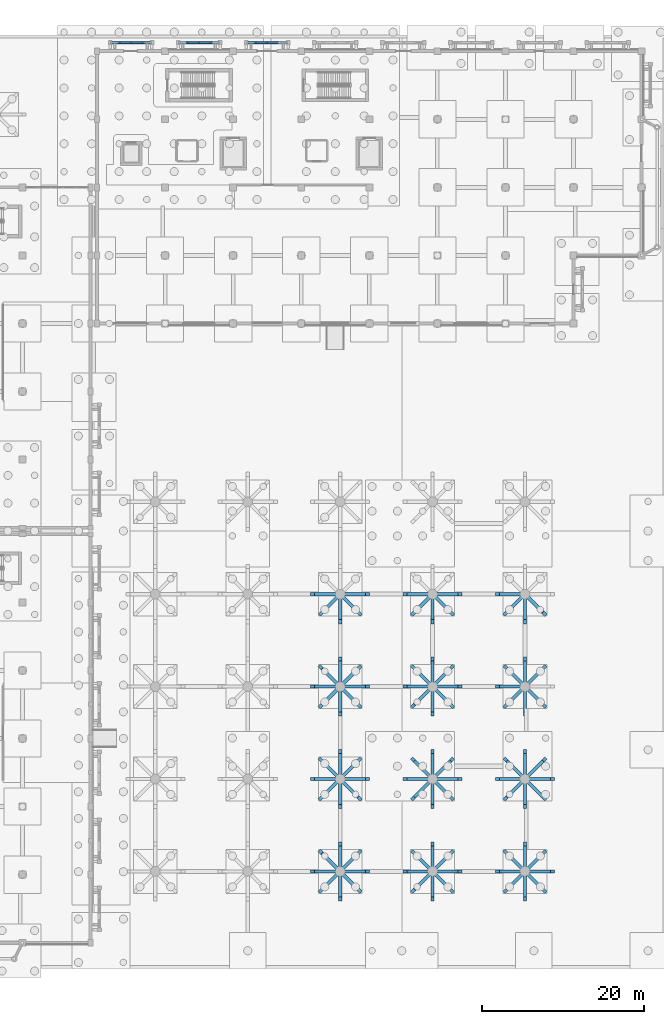
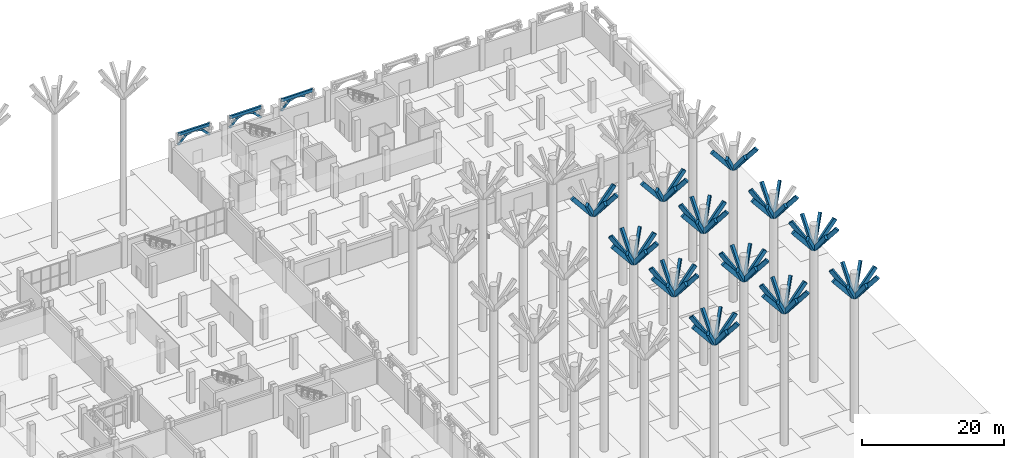
# One storey, part 45 of 98: 96 members, 3 beams.
"""IFC4 building model written with IfcOpenShell, lengths in metres."""

from ifc_helpers import new_model, si_unit, direction, frame, origin, origin_2d, place, context, subcontext, project, spatial, rectangle, extrude, material, material_profile, profile_set, type_object, element, save


model = new_model("IFC4")

# Units and contexts
model_context = context("Model", 3, precision=1e-05, world=origin(), true_north=direction((0.0, 1.0)))
body_context = subcontext(model_context, "Body", "Model", "MODEL_VIEW")
ifc_project = project(units=[si_unit("LENGTHUNIT", "METRE"), si_unit("AREAUNIT", "SQUARE_METRE"), si_unit("VOLUMEUNIT", "CUBIC_METRE"), si_unit("PLANEANGLEUNIT", "RADIAN"), si_unit("MASSUNIT", "GRAM", prefix="KILO")], contexts=[model_context])

# Site, building, storey
site_placement = place(None, origin())
site = spatial("IfcSite", under=ifc_project, at=site_placement, CompositionType="ELEMENT")
building_placement = place(site_placement, origin())
building = spatial("IfcBuilding", under=site, at=building_placement, Name="Xazarin Passage Department Store", CompositionType="ELEMENT")
storey_placement = place(building_placement, origin())
storey = spatial("IfcBuildingStorey", under=building, at=storey_placement, Name="L00", CompositionType="ELEMENT", Elevation=0.0)

# Beams
ifc_material_1 = material(Name="Concrete C35/45", Category="concrete")
ifc_material_profile_1 = material_profile(ifc_material_1, rectangle(XDim=0.300048828125, YDim=0.5, at=origin_2d()), Name="RC 300x500")
ifc_profile_set_1 = profile_set([ifc_material_profile_1], Name="Concrete C35/45")
beam_type = type_object("IfcBeamType", Name="STR-BM-LN300x500", PredefinedType="LINTEL", material=ifc_profile_set_1)
beam_1_placement = place(storey_placement, frame((104.02001953125, 111.050048828125, 5.14990234375), z_axis=(1.0, 0.0, 0.0), x_axis=(0.0, 1.0, 0.0)))
element("IfcBeam", 1, at=beam_1_placement, inside=storey, type_object=beam_type, Name="L00 V4 Colonnade Spandrel Beam 040", PredefinedType="LINTEL", context=body_context, shape_type="SweptSolid", body=[
    extrude(rectangle(XDim=0.300048828125, YDim=0.5, at=origin_2d()), origin(), (0.0, 0.0, 1.0), 5.159912109375),
])
beam_2_placement = place(storey_placement, frame((112.419921875, 111.050048828125, 5.14990234375), z_axis=(1.0, 0.0, 0.0), x_axis=(0.0, 1.0, 0.0)))
element("IfcBeam", 2, at=beam_2_placement, inside=storey, type_object=beam_type, Name="L00 V4 Colonnade Spandrel Beam 041", PredefinedType="LINTEL", context=body_context, shape_type="SweptSolid", body=[
    extrude(rectangle(XDim=0.300048828125, YDim=0.5, at=origin_2d()), origin(), (0.0, 0.0, 1.0), 5.16015625),
])
beam_3_placement = place(storey_placement, frame((120.820068359375, 111.050048828125, 5.14990234375), z_axis=(1.0, 0.0, 0.0), x_axis=(0.0, 1.0, 0.0)))
element("IfcBeam", 3, at=beam_3_placement, inside=storey, type_object=beam_type, Name="L00 V4 Colonnade Spandrel Beam 042", PredefinedType="LINTEL", context=body_context, shape_type="SweptSolid", body=[
    extrude(rectangle(XDim=0.300048828125, YDim=0.5, at=origin_2d()), origin(), (0.0, 0.0, 1.0), 5.159912109375),
])

# Members
ifc_material_2 = material(Name="Concrete C40/50", Category="concrete")
ifc_material_profile_2 = material_profile(ifc_material_2, rectangle(XDim=0.199951171875, YDim=0.360107421875, at=origin_2d()), Name="RC 200x360")
ifc_profile_set_2 = profile_set([ifc_material_profile_2], Name="Concrete C40/50")
member_type_1 = type_object("IfcMemberType", Name="STR-MEM-ARC360", PredefinedType="CHORD", material=ifc_profile_set_2)
member_1_placement = place(storey_placement, frame((104.02001953125, 111.050048828125, 3.330078125), z_axis=(0.693460080602, 0.0, 0.720495049679), x_axis=(0.0, 1.0, 0.0)))
element("IfcMember", 4, at=member_1_placement, inside=storey, type_object=member_type_1, Name="L00 V4 Pierced Lattice Curved Arch 040.1", PredefinedType="CHORD", context=body_context, shape_type="SweptSolid", body=[
    extrude(rectangle(XDim=0.199951171875, YDim=0.360107421875, at=origin_2d()), origin(), (0.0, 0.0, 1.0), 1.8603515625),
])
member_2_placement = place(storey_placement, frame((105.31005859375, 111.050048828125, 4.67041015625), z_axis=(0.972393983317, 0.0, 0.233345111818), x_axis=(0.0, 1.0, 0.0)))
element("IfcMember", 5, at=member_2_placement, inside=storey, type_object=member_type_1, Name="L00 V4 Pierced Lattice Curved Arch 040.2", PredefinedType="CHORD", context=body_context, shape_type="SweptSolid", body=[
    extrude(rectangle(XDim=0.199951171875, YDim=0.360107421875, at=origin_2d()), origin(), (0.0, 0.0, 1.0), 1.32666015625),
])
member_3_placement = place(storey_placement, frame((106.60009765625, 111.050048828125, 4.97998046875), z_axis=(0.972383960415, 0.0, -0.233386875224), x_axis=(0.0, 1.0, 0.0)))
element("IfcMember", 6, at=member_3_placement, inside=storey, type_object=member_type_1, Name="L00 V4 Pierced Lattice Curved Arch 040.3", PredefinedType="CHORD", context=body_context, shape_type="SweptSolid", body=[
    extrude(rectangle(XDim=0.199951171875, YDim=0.360107421875, at=origin_2d()), origin(), (0.0, 0.0, 1.0), 1.326416015625),
])
for number, where, z_axis, x_axis, name in (
    (7, (107.889892578125, 111.050048828125, 4.67041015625), (0.693460080602, 0.0, -0.720495049679), (0.0, 1.0, 0.0), "L00 V4 Pierced Lattice Curved Arch 040.4"),
    (8, (112.419921875, 111.050048828125, 3.330078125), (0.693460080602, 0.0, 0.720495049679), (0.0, 1.0, 0.0), "L00 V4 Pierced Lattice Curved Arch 041.1"),
):
    element("IfcMember", number, at=place(storey_placement, frame(where, z_axis=z_axis, x_axis=x_axis)), inside=storey, type_object=member_type_1, Name=name, PredefinedType="CHORD", context=body_context, shape_type="SweptSolid", body=[
        extrude(rectangle(XDim=0.199951171875, YDim=0.360107421875, at=origin_2d()), origin(), (0.0, 0.0, 1.0), 1.8603515625),
    ])
for number, where, z_axis, x_axis, name in (
    (9, (113.7099609375, 111.050048828125, 4.67041015625), (0.972393983317, 0.0, 0.233345111818), (0.0, 1.0, 0.0), "L00 V4 Pierced Lattice Curved Arch 041.2"),
    (10, (115.0, 111.050048828125, 4.97998046875), (0.972393983317, 0.0, -0.233345111818), (0.0, 1.0, 0.0), "L00 V4 Pierced Lattice Curved Arch 041.3"),
):
    element("IfcMember", number, at=place(storey_placement, frame(where, z_axis=z_axis, x_axis=x_axis)), inside=storey, type_object=member_type_1, Name=name, PredefinedType="CHORD", context=body_context, shape_type="SweptSolid", body=[
        extrude(rectangle(XDim=0.199951171875, YDim=0.360107421875, at=origin_2d()), origin(), (0.0, 0.0, 1.0), 1.32666015625),
    ])
for number, where, z_axis, x_axis, name in (
    (11, (116.2900390625, 111.050048828125, 4.67041015625), (0.693460080602, 0.0, -0.720495049679), (0.0, 1.0, 0.0), "L00 V4 Pierced Lattice Curved Arch 041.4"),
    (12, (120.820068359375, 111.050048828125, 3.330078125), (0.693460080602, 0.0, 0.720495049679), (0.0, 1.0, 0.0), "L00 V4 Pierced Lattice Curved Arch 042.1"),
):
    element("IfcMember", number, at=place(storey_placement, frame(where, z_axis=z_axis, x_axis=x_axis)), inside=storey, type_object=member_type_1, Name=name, PredefinedType="CHORD", context=body_context, shape_type="SweptSolid", body=[
        extrude(rectangle(XDim=0.199951171875, YDim=0.360107421875, at=origin_2d()), origin(), (0.0, 0.0, 1.0), 1.8603515625),
    ])
member_4_placement = place(storey_placement, frame((122.110107421875, 111.050048828125, 4.67041015625), z_axis=(0.972383960415, 0.0, 0.233386875224), x_axis=(0.0, 1.0, 0.0)))
element("IfcMember", 13, at=member_4_placement, inside=storey, type_object=member_type_1, Name="L00 V4 Pierced Lattice Curved Arch 042.2", PredefinedType="CHORD", context=body_context, shape_type="SweptSolid", body=[
    extrude(rectangle(XDim=0.199951171875, YDim=0.360107421875, at=origin_2d()), origin(), (0.0, 0.0, 1.0), 1.326416015625),
])
member_5_placement = place(storey_placement, frame((123.39990234375, 111.050048828125, 4.97998046875), z_axis=(0.972393983317, 0.0, -0.233345111818), x_axis=(0.0, 1.0, 0.0)))
element("IfcMember", 14, at=member_5_placement, inside=storey, type_object=member_type_1, Name="L00 V4 Pierced Lattice Curved Arch 042.3", PredefinedType="CHORD", context=body_context, shape_type="SweptSolid", body=[
    extrude(rectangle(XDim=0.199951171875, YDim=0.360107421875, at=origin_2d()), origin(), (0.0, 0.0, 1.0), 1.32666015625),
])
ifc_material_profile_3 = material_profile(ifc_material_2, rectangle(XDim=0.39990234375, YDim=0.64990234375, at=origin_2d()), Name="RC 400x650")
ifc_profile_set_3 = profile_set([ifc_material_profile_3], Name="Concrete C40/50")
member_type_2 = type_object("IfcMemberType", Name="STR-MEM-UMB400", PredefinedType="BRACE", material=ifc_profile_set_3)
for number, where, z_axis, x_axis, name in (
    (15, (132.6201171875, 8.800048828125, 21.3798828125), (0.634369600905, 0.0, 0.773029889103), (0.0, 1.0, 0.0), "Umbrella UM7 Flared Sculptural Capital Strut E"),
    (16, (132.179931640625, 8.800048828125, 21.3798828125), (-0.634369600905, 0.0, 0.773029889103), (0.0, -1.0, 0.0), "Umbrella UM7 Flared Sculptural Capital Strut W"),
    (17, (132.39990234375, 9.02001953125, 21.3798828125), (0.0, 0.634369600905, 0.773029889103), (-1.0, 0.0, 0.0), "Umbrella UM7 Flared Sculptural Capital Strut N"),
):
    element("IfcMember", number, at=place(storey_placement, frame(where, z_axis=z_axis, x_axis=x_axis)), inside=storey, type_object=member_type_2, Name=name, PredefinedType="BRACE", context=body_context, shape_type="SweptSolid", body=[
        extrude(rectangle(XDim=0.39990234375, YDim=0.64990234375, at=origin_2d()), origin(), (0.0, 0.0, 1.0), 5.0126953125),
    ])
member_6_placement = place(storey_placement, frame((132.39990234375, 8.580078125, 21.3798828125), z_axis=(0.0, -0.63439870386, 0.773006005501), x_axis=(1.0, 0.0, 0.0)))
element("IfcMember", 18, at=member_6_placement, inside=storey, type_object=member_type_2, Name="Umbrella UM7 Flared Sculptural Capital Strut S", PredefinedType="BRACE", context=body_context, shape_type="SweptSolid", body=[
    extrude(rectangle(XDim=0.39990234375, YDim=0.64990234375, at=origin_2d()), origin(), (0.0, 0.0, 1.0), 5.012939453125),
])
for number, where, z_axis, x_axis, name in (
    (19, (132.5556640625, 8.95556640625, 21.3798828125), (0.448565130781, 0.448565130781, 0.77303211246), (-0.707106781187, 0.707106781187, 0.0), "Umbrella UM7 Flared Sculptural Capital Strut NE"),
    (20, (132.244384765625, 8.95556640625, 21.3798828125), (-0.448565130781, 0.448565130781, 0.77303211246), (-0.707106781187, -0.707106781187, 0.0), "Umbrella UM7 Flared Sculptural Capital Strut NW"),
    (21, (132.5556640625, 8.644287109375, 21.3798828125), (0.448565130781, -0.448565130781, 0.77303211246), (0.707106781187, 0.707106781187, 0.0), "Umbrella UM7 Flared Sculptural Capital Strut SE"),
    (22, (132.244384765625, 8.644287109375, 21.3798828125), (-0.448565130781, -0.448565130781, 0.77303211246), (0.707106781187, -0.707106781187, 0.0), "Umbrella UM7 Flared Sculptural Capital Strut SW"),
    (23, (144.02001953125, 8.800048828125, 22.780029296875), (0.634369600905, 0.0, 0.773029889103), (0.0, 1.0, 0.0), "Umbrella UM8 Flared Sculptural Capital Strut E"),
):
    element("IfcMember", number, at=place(storey_placement, frame(where, z_axis=z_axis, x_axis=x_axis)), inside=storey, type_object=member_type_2, Name=name, PredefinedType="BRACE", context=body_context, shape_type="SweptSolid", body=[
        extrude(rectangle(XDim=0.39990234375, YDim=0.64990234375, at=origin_2d()), origin(), (0.0, 0.0, 1.0), 5.0126953125),
    ])
member_7_placement = place(storey_placement, frame((143.580078125, 8.800048828125, 22.780029296875), z_axis=(-0.63439870386, 0.0, 0.773006005501), x_axis=(0.0, -1.0, 0.0)))
element("IfcMember", 24, at=member_7_placement, inside=storey, type_object=member_type_2, Name="Umbrella UM8 Flared Sculptural Capital Strut W", PredefinedType="BRACE", context=body_context, shape_type="SweptSolid", body=[
    extrude(rectangle(XDim=0.39990234375, YDim=0.64990234375, at=origin_2d()), origin(), (0.0, 0.0, 1.0), 5.012939453125),
])
member_8_placement = place(storey_placement, frame((143.800048828125, 9.02001953125, 22.780029296875), z_axis=(0.0, 0.634369600905, 0.773029889103), x_axis=(-1.0, 0.0, 0.0)))
element("IfcMember", 25, at=member_8_placement, inside=storey, type_object=member_type_2, Name="Umbrella UM8 Flared Sculptural Capital Strut N", PredefinedType="BRACE", context=body_context, shape_type="SweptSolid", body=[
    extrude(rectangle(XDim=0.39990234375, YDim=0.64990234375, at=origin_2d()), origin(), (0.0, 0.0, 1.0), 5.0126953125),
])
member_9_placement = place(storey_placement, frame((143.800048828125, 8.580078125, 22.780029296875), z_axis=(0.0, -0.63439870386, 0.773006005501), x_axis=(1.0, 0.0, 0.0)))
element("IfcMember", 26, at=member_9_placement, inside=storey, type_object=member_type_2, Name="Umbrella UM8 Flared Sculptural Capital Strut S", PredefinedType="BRACE", context=body_context, shape_type="SweptSolid", body=[
    extrude(rectangle(XDim=0.39990234375, YDim=0.64990234375, at=origin_2d()), origin(), (0.0, 0.0, 1.0), 5.012939453125),
])
for number, where, z_axis, x_axis, name in (
    (27, (143.95556640625, 8.95556640625, 22.780029296875), (0.448565130781, 0.448565130781, 0.77303211246), (-0.707106781187, 0.707106781187, 0.0), "Umbrella UM8 Flared Sculptural Capital Strut NE"),
    (28, (143.644287109375, 8.95556640625, 22.780029296875), (-0.448565130781, 0.448565130781, 0.77303211246), (-0.707106781187, -0.707106781187, 0.0), "Umbrella UM8 Flared Sculptural Capital Strut NW"),
    (29, (143.95556640625, 8.644287109375, 22.780029296875), (0.448565130781, -0.448565130781, 0.77303211246), (0.707106781187, 0.707106781187, 0.0), "Umbrella UM8 Flared Sculptural Capital Strut SE"),
    (30, (143.644287109375, 8.644287109375, 22.780029296875), (-0.448565130781, -0.448565130781, 0.77303211246), (0.707106781187, -0.707106781187, 0.0), "Umbrella UM8 Flared Sculptural Capital Strut SW"),
):
    element("IfcMember", number, at=place(storey_placement, frame(where, z_axis=z_axis, x_axis=x_axis)), inside=storey, type_object=member_type_2, Name=name, PredefinedType="BRACE", context=body_context, shape_type="SweptSolid", body=[
        extrude(rectangle(XDim=0.39990234375, YDim=0.64990234375, at=origin_2d()), origin(), (0.0, 0.0, 1.0), 5.0126953125),
    ])
member_10_placement = place(storey_placement, frame((155.419921875, 8.800048828125, 21.3798828125), z_axis=(0.63439870386, 0.0, 0.773006005501), x_axis=(0.0, 1.0, 0.0)))
element("IfcMember", 31, at=member_10_placement, inside=storey, type_object=member_type_2, Name="Umbrella UM9 Flared Sculptural Capital Strut E", PredefinedType="BRACE", context=body_context, shape_type="SweptSolid", body=[
    extrude(rectangle(XDim=0.39990234375, YDim=0.64990234375, at=origin_2d()), origin(), (0.0, 0.0, 1.0), 5.012939453125),
])
for number, where, z_axis, x_axis, name in (
    (32, (154.97998046875, 8.800048828125, 21.3798828125), (-0.634369600905, 0.0, 0.773029889103), (0.0, -1.0, 0.0), "Umbrella UM9 Flared Sculptural Capital Strut W"),
    (33, (155.199951171875, 9.02001953125, 21.3798828125), (0.0, 0.634369600905, 0.773029889103), (-1.0, 0.0, 0.0), "Umbrella UM9 Flared Sculptural Capital Strut N"),
):
    element("IfcMember", number, at=place(storey_placement, frame(where, z_axis=z_axis, x_axis=x_axis)), inside=storey, type_object=member_type_2, Name=name, PredefinedType="BRACE", context=body_context, shape_type="SweptSolid", body=[
        extrude(rectangle(XDim=0.39990234375, YDim=0.64990234375, at=origin_2d()), origin(), (0.0, 0.0, 1.0), 5.0126953125),
    ])
member_11_placement = place(storey_placement, frame((155.199951171875, 8.580078125, 21.3798828125), z_axis=(0.0, -0.63439870386, 0.773006005501), x_axis=(1.0, 0.0, 0.0)))
element("IfcMember", 34, at=member_11_placement, inside=storey, type_object=member_type_2, Name="Umbrella UM9 Flared Sculptural Capital Strut S", PredefinedType="BRACE", context=body_context, shape_type="SweptSolid", body=[
    extrude(rectangle(XDim=0.39990234375, YDim=0.64990234375, at=origin_2d()), origin(), (0.0, 0.0, 1.0), 5.012939453125),
])
for number, where, z_axis, x_axis, name in (
    (35, (155.355712890625, 8.95556640625, 21.3798828125), (0.448565130781, 0.448565130781, 0.77303211246), (-0.707106781187, 0.707106781187, 0.0), "Umbrella UM9 Flared Sculptural Capital Strut NE"),
    (36, (155.04443359375, 8.95556640625, 21.3798828125), (-0.448565130781, 0.448565130781, 0.77303211246), (-0.707106781187, -0.707106781187, 0.0), "Umbrella UM9 Flared Sculptural Capital Strut NW"),
    (37, (155.355712890625, 8.644287109375, 21.3798828125), (0.448565130781, -0.448565130781, 0.77303211246), (0.707106781187, 0.707106781187, 0.0), "Umbrella UM9 Flared Sculptural Capital Strut SE"),
    (38, (155.04443359375, 8.644287109375, 21.3798828125), (-0.448565130781, -0.448565130781, 0.77303211246), (0.707106781187, -0.707106781187, 0.0), "Umbrella UM9 Flared Sculptural Capital Strut SW"),
    (39, (132.6201171875, 20.199951171875, 22.780029296875), (0.634369600905, 0.0, 0.773029889103), (0.0, 1.0, 0.0), "Umbrella UM12 Flared Sculptural Capital Strut E"),
    (40, (132.179931640625, 20.199951171875, 22.780029296875), (-0.634369600905, 0.0, 0.773029889103), (0.0, -1.0, 0.0), "Umbrella UM12 Flared Sculptural Capital Strut W"),
):
    element("IfcMember", number, at=place(storey_placement, frame(where, z_axis=z_axis, x_axis=x_axis)), inside=storey, type_object=member_type_2, Name=name, PredefinedType="BRACE", context=body_context, shape_type="SweptSolid", body=[
        extrude(rectangle(XDim=0.39990234375, YDim=0.64990234375, at=origin_2d()), origin(), (0.0, 0.0, 1.0), 5.0126953125),
    ])
member_12_placement = place(storey_placement, frame((132.39990234375, 20.419921875, 22.780029296875), z_axis=(0.0, 0.63439870386, 0.773006005501), x_axis=(-1.0, 0.0, 0.0)))
element("IfcMember", 41, at=member_12_placement, inside=storey, type_object=member_type_2, Name="Umbrella UM12 Flared Sculptural Capital Strut N", PredefinedType="BRACE", context=body_context, shape_type="SweptSolid", body=[
    extrude(rectangle(XDim=0.39990234375, YDim=0.64990234375, at=origin_2d()), origin(), (0.0, 0.0, 1.0), 5.012939453125),
])
for number, where, z_axis, x_axis, name in (
    (42, (132.39990234375, 19.97998046875, 22.780029296875), (0.0, -0.634369600905, 0.773029889103), (1.0, 0.0, 0.0), "Umbrella UM12 Flared Sculptural Capital Strut S"),
    (43, (132.5556640625, 20.355712890625, 22.780029296875), (0.448565130781, 0.448565130781, 0.77303211246), (-0.707106781187, 0.707106781187, 0.0), "Umbrella UM12 Flared Sculptural Capital Strut NE"),
    (44, (132.244384765625, 20.355712890625, 22.780029296875), (-0.448565130781, 0.448565130781, 0.77303211246), (-0.707106781187, -0.707106781187, 0.0), "Umbrella UM12 Flared Sculptural Capital Strut NW"),
    (45, (132.5556640625, 20.04443359375, 22.780029296875), (0.448565130781, -0.448565130781, 0.77303211246), (0.707106781187, 0.707106781187, 0.0), "Umbrella UM12 Flared Sculptural Capital Strut SE"),
    (46, (132.244384765625, 20.04443359375, 22.780029296875), (-0.448565130781, -0.448565130781, 0.77303211246), (0.707106781187, -0.707106781187, 0.0), "Umbrella UM12 Flared Sculptural Capital Strut SW"),
    (47, (144.02001953125, 20.199951171875, 21.3798828125), (0.634369600905, 0.0, 0.773029889103), (0.0, 1.0, 0.0), "Umbrella UM13 Flared Sculptural Capital Strut E"),
):
    element("IfcMember", number, at=place(storey_placement, frame(where, z_axis=z_axis, x_axis=x_axis)), inside=storey, type_object=member_type_2, Name=name, PredefinedType="BRACE", context=body_context, shape_type="SweptSolid", body=[
        extrude(rectangle(XDim=0.39990234375, YDim=0.64990234375, at=origin_2d()), origin(), (0.0, 0.0, 1.0), 5.0126953125),
    ])
for number, where, z_axis, x_axis, name in (
    (48, (143.580078125, 20.199951171875, 21.3798828125), (-0.63439870386, 0.0, 0.773006005501), (0.0, -1.0, 0.0), "Umbrella UM13 Flared Sculptural Capital Strut W"),
    (49, (143.800048828125, 20.419921875, 21.3798828125), (0.0, 0.63439870386, 0.773006005501), (-1.0, 0.0, 0.0), "Umbrella UM13 Flared Sculptural Capital Strut N"),
):
    element("IfcMember", number, at=place(storey_placement, frame(where, z_axis=z_axis, x_axis=x_axis)), inside=storey, type_object=member_type_2, Name=name, PredefinedType="BRACE", context=body_context, shape_type="SweptSolid", body=[
        extrude(rectangle(XDim=0.39990234375, YDim=0.64990234375, at=origin_2d()), origin(), (0.0, 0.0, 1.0), 5.012939453125),
    ])
for number, where, z_axis, x_axis, name in (
    (50, (143.800048828125, 19.97998046875, 21.3798828125), (0.0, -0.634369600905, 0.773029889103), (1.0, 0.0, 0.0), "Umbrella UM13 Flared Sculptural Capital Strut S"),
    (51, (143.95556640625, 20.355712890625, 21.3798828125), (0.448565130781, 0.448565130781, 0.77303211246), (-0.707106781187, 0.707106781187, 0.0), "Umbrella UM13 Flared Sculptural Capital Strut NE"),
    (52, (143.644287109375, 20.355712890625, 21.3798828125), (-0.448565130781, 0.448565130781, 0.77303211246), (-0.707106781187, -0.707106781187, 0.0), "Umbrella UM13 Flared Sculptural Capital Strut NW"),
    (53, (143.95556640625, 20.04443359375, 21.3798828125), (0.448565130781, -0.448565130781, 0.77303211246), (0.707106781187, 0.707106781187, 0.0), "Umbrella UM13 Flared Sculptural Capital Strut SE"),
    (54, (143.644287109375, 20.04443359375, 21.3798828125), (-0.448565130781, -0.448565130781, 0.77303211246), (0.707106781187, -0.707106781187, 0.0), "Umbrella UM13 Flared Sculptural Capital Strut SW"),
):
    element("IfcMember", number, at=place(storey_placement, frame(where, z_axis=z_axis, x_axis=x_axis)), inside=storey, type_object=member_type_2, Name=name, PredefinedType="BRACE", context=body_context, shape_type="SweptSolid", body=[
        extrude(rectangle(XDim=0.39990234375, YDim=0.64990234375, at=origin_2d()), origin(), (0.0, 0.0, 1.0), 5.0126953125),
    ])
member_13_placement = place(storey_placement, frame((155.419921875, 20.199951171875, 22.780029296875), z_axis=(0.63439870386, 0.0, 0.773006005501), x_axis=(0.0, 1.0, 0.0)))
element("IfcMember", 55, at=member_13_placement, inside=storey, type_object=member_type_2, Name="Umbrella UM14 Flared Sculptural Capital Strut E", PredefinedType="BRACE", context=body_context, shape_type="SweptSolid", body=[
    extrude(rectangle(XDim=0.39990234375, YDim=0.64990234375, at=origin_2d()), origin(), (0.0, 0.0, 1.0), 5.012939453125),
])
member_14_placement = place(storey_placement, frame((154.97998046875, 20.199951171875, 22.780029296875), z_axis=(-0.634369600905, 0.0, 0.773029889103), x_axis=(0.0, -1.0, 0.0)))
element("IfcMember", 56, at=member_14_placement, inside=storey, type_object=member_type_2, Name="Umbrella UM14 Flared Sculptural Capital Strut W", PredefinedType="BRACE", context=body_context, shape_type="SweptSolid", body=[
    extrude(rectangle(XDim=0.39990234375, YDim=0.64990234375, at=origin_2d()), origin(), (0.0, 0.0, 1.0), 5.0126953125),
])
member_15_placement = place(storey_placement, frame((155.199951171875, 20.419921875, 22.780029296875), z_axis=(0.0, 0.63439870386, 0.773006005501), x_axis=(-1.0, 0.0, 0.0)))
element("IfcMember", 57, at=member_15_placement, inside=storey, type_object=member_type_2, Name="Umbrella UM14 Flared Sculptural Capital Strut N", PredefinedType="BRACE", context=body_context, shape_type="SweptSolid", body=[
    extrude(rectangle(XDim=0.39990234375, YDim=0.64990234375, at=origin_2d()), origin(), (0.0, 0.0, 1.0), 5.012939453125),
])
for number, where, z_axis, x_axis, name in (
    (58, (155.199951171875, 19.97998046875, 22.780029296875), (0.0, -0.634369600905, 0.773029889103), (1.0, 0.0, 0.0), "Umbrella UM14 Flared Sculptural Capital Strut S"),
    (59, (155.355712890625, 20.355712890625, 22.780029296875), (0.448565130781, 0.448565130781, 0.77303211246), (-0.707106781187, 0.707106781187, 0.0), "Umbrella UM14 Flared Sculptural Capital Strut NE"),
    (60, (155.04443359375, 20.355712890625, 22.780029296875), (-0.448565130781, 0.448565130781, 0.77303211246), (-0.707106781187, -0.707106781187, 0.0), "Umbrella UM14 Flared Sculptural Capital Strut NW"),
    (61, (155.355712890625, 20.04443359375, 22.780029296875), (0.448565130781, -0.448565130781, 0.77303211246), (0.707106781187, 0.707106781187, 0.0), "Umbrella UM14 Flared Sculptural Capital Strut SE"),
    (62, (155.04443359375, 20.04443359375, 22.780029296875), (-0.448565130781, -0.448565130781, 0.77303211246), (0.707106781187, -0.707106781187, 0.0), "Umbrella UM14 Flared Sculptural Capital Strut SW"),
    (63, (132.6201171875, 31.60009765625, 21.3798828125), (0.634369600905, 0.0, 0.773029889103), (0.0, 1.0, 0.0), "Umbrella UM17 Flared Sculptural Capital Strut E"),
    (64, (132.179931640625, 31.60009765625, 21.3798828125), (-0.634369600905, 0.0, 0.773029889103), (0.0, -1.0, 0.0), "Umbrella UM17 Flared Sculptural Capital Strut W"),
    (65, (132.39990234375, 31.820068359375, 21.3798828125), (0.0, 0.634369600905, 0.773029889103), (-1.0, 0.0, 0.0), "Umbrella UM17 Flared Sculptural Capital Strut N"),
    (66, (132.39990234375, 31.3798828125, 21.3798828125), (0.0, -0.634369600905, 0.773029889103), (1.0, 0.0, 0.0), "Umbrella UM17 Flared Sculptural Capital Strut S"),
    (67, (132.5556640625, 31.755615234375, 21.3798828125), (0.448565130781, 0.448565130781, 0.77303211246), (-0.707106781187, 0.707106781187, 0.0), "Umbrella UM17 Flared Sculptural Capital Strut NE"),
    (68, (132.244384765625, 31.755615234375, 21.3798828125), (-0.448565130781, 0.448565130781, 0.77303211246), (-0.707106781187, -0.707106781187, 0.0), "Umbrella UM17 Flared Sculptural Capital Strut NW"),
    (69, (132.5556640625, 31.4443359375, 21.3798828125), (0.448565130781, -0.448565130781, 0.77303211246), (0.707106781187, 0.707106781187, 0.0), "Umbrella UM17 Flared Sculptural Capital Strut SE"),
    (70, (132.244384765625, 31.4443359375, 21.3798828125), (-0.448565130781, -0.448565130781, 0.77303211246), (0.707106781187, -0.707106781187, 0.0), "Umbrella UM17 Flared Sculptural Capital Strut SW"),
    (71, (144.02001953125, 31.60009765625, 22.780029296875), (0.634369600905, 0.0, 0.773029889103), (0.0, 1.0, 0.0), "Umbrella UM18 Flared Sculptural Capital Strut E"),
):
    element("IfcMember", number, at=place(storey_placement, frame(where, z_axis=z_axis, x_axis=x_axis)), inside=storey, type_object=member_type_2, Name=name, PredefinedType="BRACE", context=body_context, shape_type="SweptSolid", body=[
        extrude(rectangle(XDim=0.39990234375, YDim=0.64990234375, at=origin_2d()), origin(), (0.0, 0.0, 1.0), 5.0126953125),
    ])
member_16_placement = place(storey_placement, frame((143.580078125, 31.60009765625, 22.780029296875), z_axis=(-0.63439870386, 0.0, 0.773006005501), x_axis=(0.0, -1.0, 0.0)))
element("IfcMember", 72, at=member_16_placement, inside=storey, type_object=member_type_2, Name="Umbrella UM18 Flared Sculptural Capital Strut W", PredefinedType="BRACE", context=body_context, shape_type="SweptSolid", body=[
    extrude(rectangle(XDim=0.39990234375, YDim=0.64990234375, at=origin_2d()), origin(), (0.0, 0.0, 1.0), 5.012939453125),
])
for number, where, z_axis, x_axis, name in (
    (73, (143.800048828125, 31.820068359375, 22.780029296875), (0.0, 0.634369600905, 0.773029889103), (-1.0, 0.0, 0.0), "Umbrella UM18 Flared Sculptural Capital Strut N"),
    (74, (143.800048828125, 31.3798828125, 22.780029296875), (0.0, -0.634369600905, 0.773029889103), (1.0, 0.0, 0.0), "Umbrella UM18 Flared Sculptural Capital Strut S"),
    (75, (143.95556640625, 31.755615234375, 22.780029296875), (0.448565130781, 0.448565130781, 0.77303211246), (-0.707106781187, 0.707106781187, 0.0), "Umbrella UM18 Flared Sculptural Capital Strut NE"),
    (76, (143.644287109375, 31.755615234375, 22.780029296875), (-0.448565130781, 0.448565130781, 0.77303211246), (-0.707106781187, -0.707106781187, 0.0), "Umbrella UM18 Flared Sculptural Capital Strut NW"),
    (77, (143.95556640625, 31.4443359375, 22.780029296875), (0.448565130781, -0.448565130781, 0.77303211246), (0.707106781187, 0.707106781187, 0.0), "Umbrella UM18 Flared Sculptural Capital Strut SE"),
    (78, (143.644287109375, 31.4443359375, 22.780029296875), (-0.448565130781, -0.448565130781, 0.77303211246), (0.707106781187, -0.707106781187, 0.0), "Umbrella UM18 Flared Sculptural Capital Strut SW"),
    (79, (154.97998046875, 31.60009765625, 21.3798828125), (-0.634369600905, 0.0, 0.773029889103), (0.0, -1.0, 0.0), "Umbrella UM19 Flared Sculptural Capital Strut W"),
    (80, (155.199951171875, 31.820068359375, 21.3798828125), (0.0, 0.634369600905, 0.773029889103), (-1.0, 0.0, 0.0), "Umbrella UM19 Flared Sculptural Capital Strut N"),
    (81, (155.199951171875, 31.3798828125, 21.3798828125), (0.0, -0.634369600905, 0.773029889103), (1.0, 0.0, 0.0), "Umbrella UM19 Flared Sculptural Capital Strut S"),
    (82, (155.355712890625, 31.755615234375, 21.3798828125), (0.448565130781, 0.448565130781, 0.77303211246), (-0.707106781187, 0.707106781187, 0.0), "Umbrella UM19 Flared Sculptural Capital Strut NE"),
    (83, (155.04443359375, 31.755615234375, 21.3798828125), (-0.448565130781, 0.448565130781, 0.77303211246), (-0.707106781187, -0.707106781187, 0.0), "Umbrella UM19 Flared Sculptural Capital Strut NW"),
    (84, (155.355712890625, 31.4443359375, 21.3798828125), (0.448565130781, -0.448565130781, 0.77303211246), (0.707106781187, 0.707106781187, 0.0), "Umbrella UM19 Flared Sculptural Capital Strut SE"),
    (85, (155.04443359375, 31.4443359375, 21.3798828125), (-0.448565130781, -0.448565130781, 0.77303211246), (0.707106781187, -0.707106781187, 0.0), "Umbrella UM19 Flared Sculptural Capital Strut SW"),
    (86, (132.6201171875, 43.0, 22.780029296875), (0.634369600905, 0.0, 0.773029889103), (0.0, 1.0, 0.0), "Umbrella UM22 Flared Sculptural Capital Strut E"),
    (87, (132.179931640625, 43.0, 22.780029296875), (-0.634369600905, 0.0, 0.773029889103), (0.0, -1.0, 0.0), "Umbrella UM22 Flared Sculptural Capital Strut W"),
    (88, (132.39990234375, 42.780029296875, 22.780029296875), (0.0, -0.634369600905, 0.773029889103), (1.0, 0.0, 0.0), "Umbrella UM22 Flared Sculptural Capital Strut S"),
):
    element("IfcMember", number, at=place(storey_placement, frame(where, z_axis=z_axis, x_axis=x_axis)), inside=storey, type_object=member_type_2, Name=name, PredefinedType="BRACE", context=body_context, shape_type="SweptSolid", body=[
        extrude(rectangle(XDim=0.39990234375, YDim=0.64990234375, at=origin_2d()), origin(), (0.0, 0.0, 1.0), 5.0126953125),
    ])
for number, where, z_axis, x_axis, name in (
    (89, (132.5556640625, 42.844482421875, 22.780029296875), (0.448555330777, -0.448604033853, 0.77301522368), (0.707145166051, 0.707068394238, 0.0), "Umbrella UM22 Flared Sculptural Capital Strut SE"),
    (90, (132.244384765625, 42.844482421875, 22.780029296875), (-0.448555330777, -0.448604033853, 0.77301522368), (0.707145166051, -0.707068394238, 0.0), "Umbrella UM22 Flared Sculptural Capital Strut SW"),
):
    element("IfcMember", number, at=place(storey_placement, frame(where, z_axis=z_axis, x_axis=x_axis)), inside=storey, type_object=member_type_2, Name=name, PredefinedType="BRACE", context=body_context, shape_type="SweptSolid", body=[
        extrude(rectangle(XDim=0.39990234375, YDim=0.64990234375, at=origin_2d()), origin(), (0.0, 0.0, 1.0), 5.012939453125),
    ])
member_17_placement = place(storey_placement, frame((144.02001953125, 43.0, 21.3798828125), z_axis=(0.634369600905, 0.0, 0.773029889103), x_axis=(0.0, 1.0, 0.0)))
element("IfcMember", 91, at=member_17_placement, inside=storey, type_object=member_type_2, Name="Umbrella UM23 Flared Sculptural Capital Strut E", PredefinedType="BRACE", context=body_context, shape_type="SweptSolid", body=[
    extrude(rectangle(XDim=0.39990234375, YDim=0.64990234375, at=origin_2d()), origin(), (0.0, 0.0, 1.0), 5.0126953125),
])
member_18_placement = place(storey_placement, frame((143.580078125, 43.0, 21.3798828125), z_axis=(-0.63439870386, 0.0, 0.773006005501), x_axis=(0.0, -1.0, 0.0)))
element("IfcMember", 92, at=member_18_placement, inside=storey, type_object=member_type_2, Name="Umbrella UM23 Flared Sculptural Capital Strut W", PredefinedType="BRACE", context=body_context, shape_type="SweptSolid", body=[
    extrude(rectangle(XDim=0.39990234375, YDim=0.64990234375, at=origin_2d()), origin(), (0.0, 0.0, 1.0), 5.012939453125),
])
member_19_placement = place(storey_placement, frame((143.800048828125, 42.780029296875, 21.3798828125), z_axis=(0.0, -0.634369600905, 0.773029889103), x_axis=(1.0, 0.0, 0.0)))
element("IfcMember", 93, at=member_19_placement, inside=storey, type_object=member_type_2, Name="Umbrella UM23 Flared Sculptural Capital Strut S", PredefinedType="BRACE", context=body_context, shape_type="SweptSolid", body=[
    extrude(rectangle(XDim=0.39990234375, YDim=0.64990234375, at=origin_2d()), origin(), (0.0, 0.0, 1.0), 5.0126953125),
])
for number, where, z_axis, x_axis, name in (
    (94, (143.95556640625, 42.844482421875, 21.3798828125), (0.448555330777, -0.448604033853, 0.77301522368), (0.707145166051, 0.707068394238, 0.0), "Umbrella UM23 Flared Sculptural Capital Strut SE"),
    (95, (143.644287109375, 42.844482421875, 21.3798828125), (-0.448555330777, -0.448604033853, 0.77301522368), (0.707145166051, -0.707068394238, 0.0), "Umbrella UM23 Flared Sculptural Capital Strut SW"),
):
    element("IfcMember", number, at=place(storey_placement, frame(where, z_axis=z_axis, x_axis=x_axis)), inside=storey, type_object=member_type_2, Name=name, PredefinedType="BRACE", context=body_context, shape_type="SweptSolid", body=[
        extrude(rectangle(XDim=0.39990234375, YDim=0.64990234375, at=origin_2d()), origin(), (0.0, 0.0, 1.0), 5.012939453125),
    ])
for number, where, z_axis, x_axis, name in (
    (96, (154.97998046875, 43.0, 22.780029296875), (-0.634369600905, 0.0, 0.773029889103), (0.0, -1.0, 0.0), "Umbrella UM24 Flared Sculptural Capital Strut W"),
    (97, (155.199951171875, 42.780029296875, 22.780029296875), (0.0, -0.634369600905, 0.773029889103), (1.0, 0.0, 0.0), "Umbrella UM24 Flared Sculptural Capital Strut S"),
):
    element("IfcMember", number, at=place(storey_placement, frame(where, z_axis=z_axis, x_axis=x_axis)), inside=storey, type_object=member_type_2, Name=name, PredefinedType="BRACE", context=body_context, shape_type="SweptSolid", body=[
        extrude(rectangle(XDim=0.39990234375, YDim=0.64990234375, at=origin_2d()), origin(), (0.0, 0.0, 1.0), 5.0126953125),
    ])
for number, where, z_axis, x_axis, name in (
    (98, (155.355712890625, 42.844482421875, 22.780029296875), (0.448555330777, -0.448604033853, 0.77301522368), (0.707145166051, 0.707068394238, 0.0), "Umbrella UM24 Flared Sculptural Capital Strut SE"),
    (99, (155.04443359375, 42.844482421875, 22.780029296875), (-0.448555330777, -0.448604033853, 0.77301522368), (0.707145166051, -0.707068394238, 0.0), "Umbrella UM24 Flared Sculptural Capital Strut SW"),
):
    element("IfcMember", number, at=place(storey_placement, frame(where, z_axis=z_axis, x_axis=x_axis)), inside=storey, type_object=member_type_2, Name=name, PredefinedType="BRACE", context=body_context, shape_type="SweptSolid", body=[
        extrude(rectangle(XDim=0.39990234375, YDim=0.64990234375, at=origin_2d()), origin(), (0.0, 0.0, 1.0), 5.012939453125),
    ])

save(model, "model.ifc")
